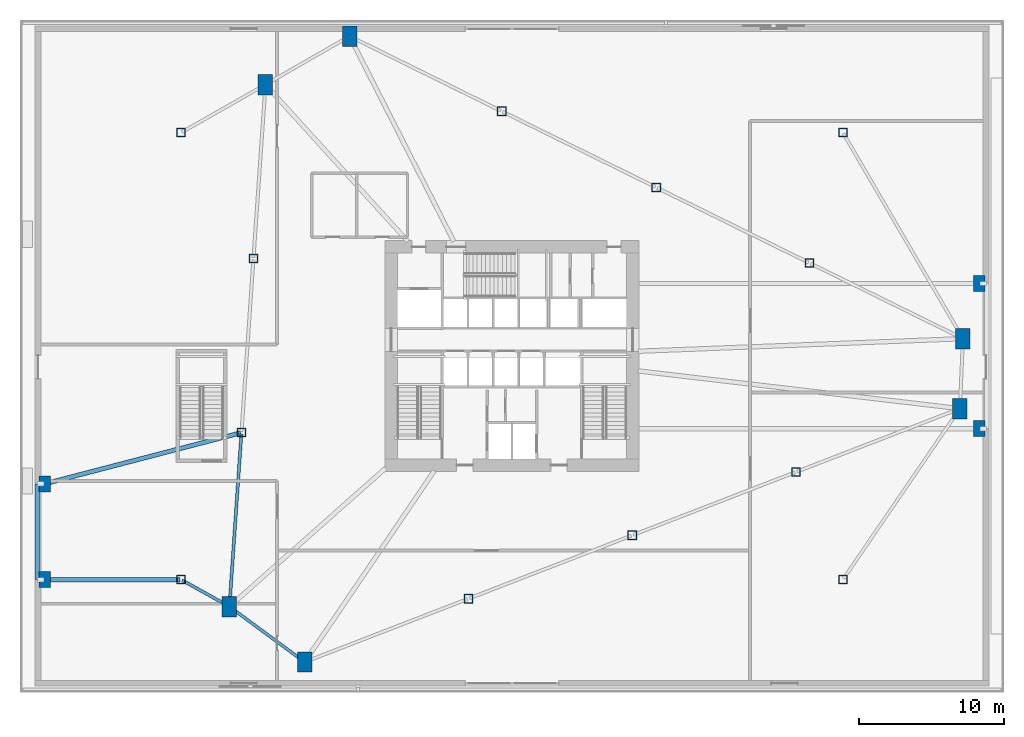
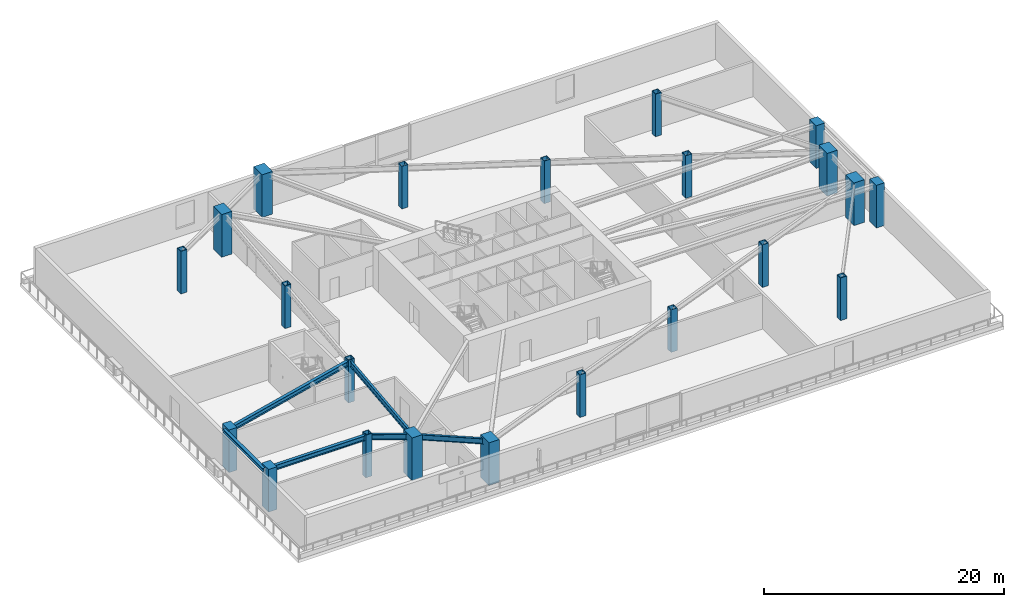
# One storey, part 1 of 16: 22 columns, 6 beams.
"""IFC4 building model written with IfcOpenShell, lengths in metres."""

from ifc_helpers import new_model, si_unit, direction, frame, origin, origin_2d, place, context, subcontext, project, spatial, rectangle, hollow_rectangle, i_section, extrude, source, transform, mapped, material, material_profile, profile_set, type_object, element, save


model = new_model("IFC4")

# Units and contexts
model_context = context("Model", 3, precision=1e-05, world=origin(), true_north=direction((0.0, 1.0)))
body_context = subcontext(model_context, "Body", "Model", "MODEL_VIEW")
ifc_project = project(units=[si_unit("LENGTHUNIT", "METRE"), si_unit("AREAUNIT", "SQUARE_METRE"), si_unit("VOLUMEUNIT", "CUBIC_METRE"), si_unit("PLANEANGLEUNIT", "RADIAN"), si_unit("MASSUNIT", "GRAM", prefix="KILO")], contexts=[model_context])

# Site, building, storey
site_placement = place(None, origin())
site = spatial("IfcSite", under=ifc_project, at=site_placement, CompositionType="ELEMENT")
building_placement = place(site_placement, origin())
building = spatial("IfcBuilding", under=site, at=building_placement, Name="Olszyna Solenne Hotel", CompositionType="ELEMENT")
storey_placement = place(building_placement, frame((0.0, 0.0, 15.60009765625)))
storey = spatial("IfcBuildingStorey", under=building, at=storey_placement, Name="L03", CompositionType="ELEMENT", Elevation=15.60009765625)

# Columns
ifc_material_1 = material(Name="Concrete C60/75", Category="concrete")
ifc_material_profile_1 = material_profile(ifc_material_1, rectangle(XDim=1.0, YDim=1.39990234375, at=origin_2d()), Name="RC 1400x1000", Category="load-bearing")
ifc_profile_set_1 = profile_set([ifc_material_profile_1], Name="Concrete C60/75")
column_type_1 = type_object("IfcColumnType", Name="COL-P1", PredefinedType="COLUMN", material=ifc_profile_set_1)
shared_shape_1 = source(origin(), body_context, "Body", "SweptSolid", [
    extrude(rectangle(XDim=1.0, YDim=1.39990234375, at=origin_2d()), origin(), (0.0, 0.0, 1.0), 4.3349609375),
])
for number, where, z_axis, x_axis, name in (
    (1, (68.858154296875, 22.984619140625, 0.0), (0.0, 0.0, 1.0), (1.0, 0.0, 0.0), "Podium mega-column COL-P1 C-L03-P1-01"),
    (2, (69.072509765625, 27.802978515625, 0.0), (0.0, 0.0, 1.0), (1.0, 0.0, 0.0), "Podium mega-column COL-P1 C-L03-P1-02"),
    (3, (26.808837890625, 48.6416015625, 0.0), (0.0, 0.0, 1.0), (1.0, 0.0, 0.0), "Podium mega-column COL-P1 C-L03-P1-03"),
    (4, (21.014404296875, 45.309326171875, 0.0), (0.0, 0.0, 1.0), (1.0, 0.0, 0.0), "Podium mega-column COL-P1 C-L03-P1-04"),
    (5, (18.53173828125, 9.34130859375, 0.0), (0.0, 0.0, 1.0), (1.0, 0.0, 0.0), "Podium mega-column COL-P1 C-L03-P1-05"),
    (6, (23.71435546875, 5.520263671875, 0.0), (0.0, 0.0, 1.0), (1.0, 0.0, 0.0), "Podium mega-column COL-P1 C-L03-P1-06"),
):
    element("IfcColumn", number, at=place(storey_placement, frame(where, z_axis=z_axis, x_axis=x_axis)), inside=storey, type_object=column_type_1, Name=name, PredefinedType="COLUMN", context=body_context, shape_type="MappedRepresentation", body=[
        mapped(shared_shape_1, transform((0.0, 0.0, 0.0), x_axis=(1.0, 0.0, 0.0), y_axis=(0.0, 1.0, 0.0), z_axis=(0.0, 0.0, 1.0), scale=1.0)),
    ])
ifc_material_2 = material(Name="Steel S460M", Category="steel")
ifc_material_profile_2 = material_profile(ifc_material_2, hollow_rectangle(XDim=0.60009765625, YDim=0.60009765625, WallThickness=0.034912109375, at=origin_2d()), Name="SHS 600x600x35", Category="load-bearing")
ifc_profile_set_2 = profile_set([ifc_material_profile_2], Name="Steel S460M")
column_type_2 = type_object("IfcColumnType", Name="COL-P2", PredefinedType="COLUMN", material=ifc_profile_set_2)
shared_shape_2 = source(origin(), body_context, "Body", "SweptSolid", [
    extrude(hollow_rectangle(XDim=0.60009765625, YDim=0.60009765625, WallThickness=0.034912109375, at=origin_2d()), origin(), (0.0, 0.0, 1.0), 4.3349609375),
])
for number, where, z_axis, x_axis, name in (
    (7, (15.199951171875, 11.199951171875, 0.0), (0.0, 0.0, 1.0), (1.0, 0.0, 0.0), "Podium mega-column COL-P2 C-L03-P2-01"),
    (8, (15.199951171875, 42.0, 0.0), (0.0, 0.0, 1.0), (1.0, 0.0, 0.0), "Podium mega-column COL-P2 C-L03-P2-02"),
    (9, (60.800048828125, 11.199951171875, 0.0), (0.0, 0.0, 1.0), (1.0, 0.0, 0.0), "Podium mega-column COL-P2 C-L03-P2-03"),
    (10, (60.800048828125, 42.0, 0.0), (0.0, 0.0, 1.0), (1.0, 0.0, 0.0), "Podium mega-column COL-P2 C-L03-P2-04"),
    (11, (58.506591796875, 33.0126953125, 0.0), (0.0, 0.0, 1.0), (1.0, 0.0, 0.0), "Podium transfer-support column COL-P2 C-L03-TG-01"),
    (12, (47.94091796875, 38.222412109375, 0.0), (0.0, 0.0, 1.0), (1.0, 0.0, 0.0), "Podium transfer-support column COL-P2 C-L03-TG-02"),
    (13, (37.287109375, 43.47509765625, 0.0), (0.0, 0.0, 1.0), (1.0, 0.0, 0.0), "Podium transfer-support column COL-P2 C-L03-TG-03"),
    (14, (20.186767578125, 33.320068359375, 0.0), (0.0, 0.0, 1.0), (1.0, 0.0, 0.0), "Podium transfer-support column COL-P2 C-L03-TG-04"),
    (15, (19.359375, 21.33056640625, 0.0), (0.0, 0.0, 1.0), (1.0, 0.0, 0.0), "Podium transfer-support column COL-P2 C-L03-TG-05"),
    (16, (35.000244140625, 9.88623046875, 0.0), (0.0, 0.0, 1.0), (1.0, 0.0, 0.0), "Podium transfer-support column COL-P2 C-L03-TG-06"),
    (17, (46.2861328125, 14.25244140625, 0.0), (0.0, 0.0, 1.0), (1.0, 0.0, 0.0), "Podium transfer-support column COL-P2 C-L03-TG-07"),
    (18, (57.572265625, 18.618408203125, 0.0), (0.0, 0.0, 1.0), (1.0, 0.0, 0.0), "Podium transfer-support column COL-P2 C-L03-TG-08"),
):
    element("IfcColumn", number, at=place(storey_placement, frame(where, z_axis=z_axis, x_axis=x_axis)), inside=storey, type_object=column_type_2, Name=name, PredefinedType="COLUMN", context=body_context, shape_type="MappedRepresentation", body=[
        mapped(shared_shape_2, transform((0.0, 0.0, 0.0), x_axis=(1.0, 0.0, 0.0), y_axis=(0.0, 1.0, 0.0), z_axis=(0.0, 0.0, 1.0), scale=1.0)),
    ])
ifc_material_3 = material(Name="Concrete C50/60", Category="concrete")
ifc_material_profile_3 = material_profile(ifc_material_3, rectangle(XDim=0.800048828125, YDim=1.10009765625, at=origin_2d()), Name="RC 1100x800", Category="load-bearing")
ifc_profile_set_3 = profile_set([ifc_material_profile_3], Name="Concrete C50/60")
column_type_3 = type_object("IfcColumnType", Name="COL-B1", PredefinedType="COLUMN", material=ifc_profile_set_3)
shared_shape_3 = source(origin(), body_context, "Body", "SweptSolid", [
    extrude(rectangle(XDim=0.800048828125, YDim=1.10009765625, at=origin_2d()), origin(), (0.0, 0.0, 1.0), 4.3349609375),
])
for number, where, z_axis, x_axis, name in (
    (19, (5.800048828125, 11.199951171875, 0.0), (0.0, 0.0, 1.0), (1.0, 0.0, 0.0), "Terrace support RC column COL-B1 C-L03-TC-162"),
    (20, (5.800048828125, 17.800048828125, 0.0), (0.0, 0.0, 1.0), (1.0, 0.0, 0.0), "Terrace support RC column COL-B1 C-L03-TC-163"),
    (21, (70.199951171875, 21.60009765625, 0.0), (0.0, 0.0, 1.0), (1.0, 0.0, 0.0), "Terrace support RC column COL-B1 C-L03-TC-164"),
    (22, (70.199951171875, 31.60009765625, 0.0), (0.0, 0.0, 1.0), (1.0, 0.0, 0.0), "Terrace support RC column COL-B1 C-L03-TC-165"),
):
    element("IfcColumn", number, at=place(storey_placement, frame(where, z_axis=z_axis, x_axis=x_axis)), inside=storey, type_object=column_type_3, Name=name, PredefinedType="COLUMN", context=body_context, shape_type="MappedRepresentation", body=[
        mapped(shared_shape_3, transform((0.0, 0.0, 0.0), x_axis=(1.0, 0.0, 0.0), y_axis=(0.0, 1.0, 0.0), z_axis=(0.0, 0.0, 1.0), scale=1.0)),
    ])

# Beams
ifc_material_4 = material(Name="Steel S355J2", Category="steel")
ifc_material_profile_4 = material_profile(ifc_material_4, i_section(OverallWidth=0.2099609375, OverallDepth=0.550048828125, WebThickness=0.010986328125, FlangeThickness=0.01708984375, at=origin_2d()), Name="IPE 550", Category="load-bearing")
ifc_profile_set_4 = profile_set([ifc_material_profile_4], Name="Steel S355J2")
beam_type_1 = type_object("IfcBeamType", Name="BM-F2", PredefinedType="BEAM", material=ifc_profile_set_4)
shared_shape_4 = source(origin(), body_context, "Body", "SweptSolid", [
    extrude(i_section(OverallWidth=0.2099609375, OverallDepth=0.550048828125, WebThickness=0.010986328125, FlangeThickness=0.01708984375, at=origin_2d()), origin(), (0.0, 0.0, 1.0), 3.655029296875),
])
beam_1_placement = place(storey_placement, frame((15.27001953125, 11.160888671875, 3.90478515625), z_axis=(0.873286271012, -0.487207439251, 0.0), x_axis=(0.487207439251, 0.873286271012, 0.0)))
element("IfcBeam", 23, at=beam_1_placement, inside=storey, type_object=beam_type_1, Name="Podium terrace girder BM-F2 B-L03-0137", PredefinedType="BEAM", context=body_context, shape_type="MappedRepresentation", body=[
    mapped(shared_shape_4, transform((0.0, 0.0, 0.0), x_axis=(1.0, 0.0, 0.0), y_axis=(0.0, 1.0, 0.0), z_axis=(0.0, 0.0, 1.0), scale=1.0)),
])
shared_shape_5 = source(origin(), body_context, "Body", "SweptSolid", [
    extrude(i_section(OverallWidth=0.2099609375, OverallDepth=0.550048828125, WebThickness=0.010986328125, FlangeThickness=0.01708984375, at=origin_2d()), origin(), (0.0, 0.0, 1.0), 11.85791015625),
])
beam_2_placement = place(storey_placement, frame((19.353759765625, 21.250732421875, 3.90478515625), z_axis=(-0.068869217947, -0.997625696752, 0.0), x_axis=(0.997625696752, -0.068869217947, 0.0)))
element("IfcBeam", 24, at=beam_2_placement, inside=storey, type_object=beam_type_1, Name="Podium ring girder BM-F2 BRG-L03-43", PredefinedType="BEAM", context=body_context, shape_type="MappedRepresentation", body=[
    mapped(shared_shape_5, transform((0.0, 0.0, 0.0), x_axis=(1.0, 0.0, 0.0), y_axis=(0.0, 1.0, 0.0), z_axis=(0.0, 0.0, 1.0), scale=1.0)),
])
shared_shape_6 = source(origin(), body_context, "Body", "SweptSolid", [
    extrude(i_section(OverallWidth=0.2099609375, OverallDepth=0.550048828125, WebThickness=0.010986328125, FlangeThickness=0.01708984375, at=origin_2d()), origin(), (0.0, 0.0, 1.0), 6.27880859375),
])
beam_3_placement = place(storey_placement, frame((18.59619140625, 9.293701171875, 3.90478515625), z_axis=(0.804881840641, -0.593435103955, 0.0), x_axis=(0.593435103955, 0.804881840641, 0.0)))
element("IfcBeam", 25, at=beam_3_placement, inside=storey, type_object=beam_type_1, Name="Podium ring girder BM-F2 B-L03-0123", PredefinedType="BEAM", context=body_context, shape_type="MappedRepresentation", body=[
    mapped(shared_shape_6, transform((0.0, 0.0, 0.0), x_axis=(1.0, 0.0, 0.0), y_axis=(0.0, 1.0, 0.0), z_axis=(0.0, 0.0, 1.0), scale=1.0)),
])
ifc_material_profile_5 = material_profile(ifc_material_4, i_section(OverallWidth=0.300048828125, OverallDepth=0.489990234375, WebThickness=0.011962890625, FlangeThickness=0.02294921875, at=origin_2d()), Name="HEA 500", Category="load-bearing")
ifc_profile_set_5 = profile_set([ifc_material_profile_5], Name="Steel S355J2")
beam_type_2 = type_object("IfcBeamType", Name="BM-G1", PredefinedType="BEAM", material=ifc_profile_set_5)
shared_shape_7 = source(origin(), body_context, "Body", "SweptSolid", [
    extrude(i_section(OverallWidth=0.300048828125, OverallDepth=0.489990234375, WebThickness=0.011962890625, FlangeThickness=0.02294921875, at=origin_2d()), origin(), (0.0, 0.0, 1.0), 9.27978515625),
])
beam_4_placement = place(storey_placement, frame((5.860107421875, 11.199951171875, 3.934814453125), z_axis=(1.0, 0.0, 0.0), x_axis=(0.0, 1.0, 0.0)))
element("IfcBeam", 26, at=beam_4_placement, inside=storey, type_object=beam_type_2, Name="Terrace West interior back-span girder BM-G1 B-L03-0127", PredefinedType="BEAM", context=body_context, shape_type="MappedRepresentation", body=[
    mapped(shared_shape_7, transform((0.0, 0.0, 0.0), x_axis=(1.0, 0.0, 0.0), y_axis=(0.0, 1.0, 0.0), z_axis=(0.0, 0.0, 1.0), scale=1.0)),
])
shared_shape_8 = source(origin(), body_context, "Body", "SweptSolid", [
    extrude(i_section(OverallWidth=0.300048828125, OverallDepth=0.489990234375, WebThickness=0.011962890625, FlangeThickness=0.02294921875, at=origin_2d()), origin(), (0.0, 0.0, 1.0), 13.891357421875),
])
beam_5_placement = place(storey_placement, frame((5.858154296875, 17.815185546875, 3.934814453125), z_axis=(0.967734190158, 0.251973286677, 0.0), x_axis=(-0.251973286677, 0.967734190158, 0.0)))
element("IfcBeam", 27, at=beam_5_placement, inside=storey, type_object=beam_type_2, Name="Terrace West interior back-span girder BM-G1 B-L03-0129", PredefinedType="BEAM", context=body_context, shape_type="MappedRepresentation", body=[
    mapped(shared_shape_8, transform((0.0, 0.0, 0.0), x_axis=(1.0, 0.0, 0.0), y_axis=(0.0, 1.0, 0.0), z_axis=(0.0, 0.0, 1.0), scale=1.0)),
])
ifc_material_profile_6 = material_profile(ifc_material_4, i_section(OverallWidth=0.300048828125, OverallDepth=0.31005859375, WebThickness=0.009033203125, FlangeThickness=0.015380859375, at=origin_2d()), Name="HEA 320", Category="load-bearing")
ifc_profile_set_6 = profile_set([ifc_material_profile_6], Name="Steel S355J2")
beam_type_3 = type_object("IfcBeamType", Name="BM-G3", PredefinedType="BEAM", material=ifc_profile_set_6)
shared_shape_9 = source(origin(), body_context, "Body", "SweptSolid", [
    extrude(i_section(OverallWidth=0.300048828125, OverallDepth=0.31005859375, WebThickness=0.009033203125, FlangeThickness=0.015380859375, at=origin_2d()), origin(), (0.0, 0.0, 1.0), 6.60009765625),
])
beam_6_placement = place(storey_placement, frame((5.300048828125, 11.199951171875, 4.02490234375), z_axis=(0.0, 1.0, 0.0), x_axis=(-1.0, 0.0, 0.0)))
element("IfcBeam", 28, at=beam_6_placement, inside=storey, type_object=beam_type_3, Name="Terrace West rim beam BM-G3 B-L03-0131", PredefinedType="BEAM", context=body_context, shape_type="MappedRepresentation", body=[
    mapped(shared_shape_9, transform((0.0, 0.0, 0.0), x_axis=(1.0, 0.0, 0.0), y_axis=(0.0, 1.0, 0.0), z_axis=(0.0, 0.0, 1.0), scale=1.0)),
])

save(model, "model.ifc")
